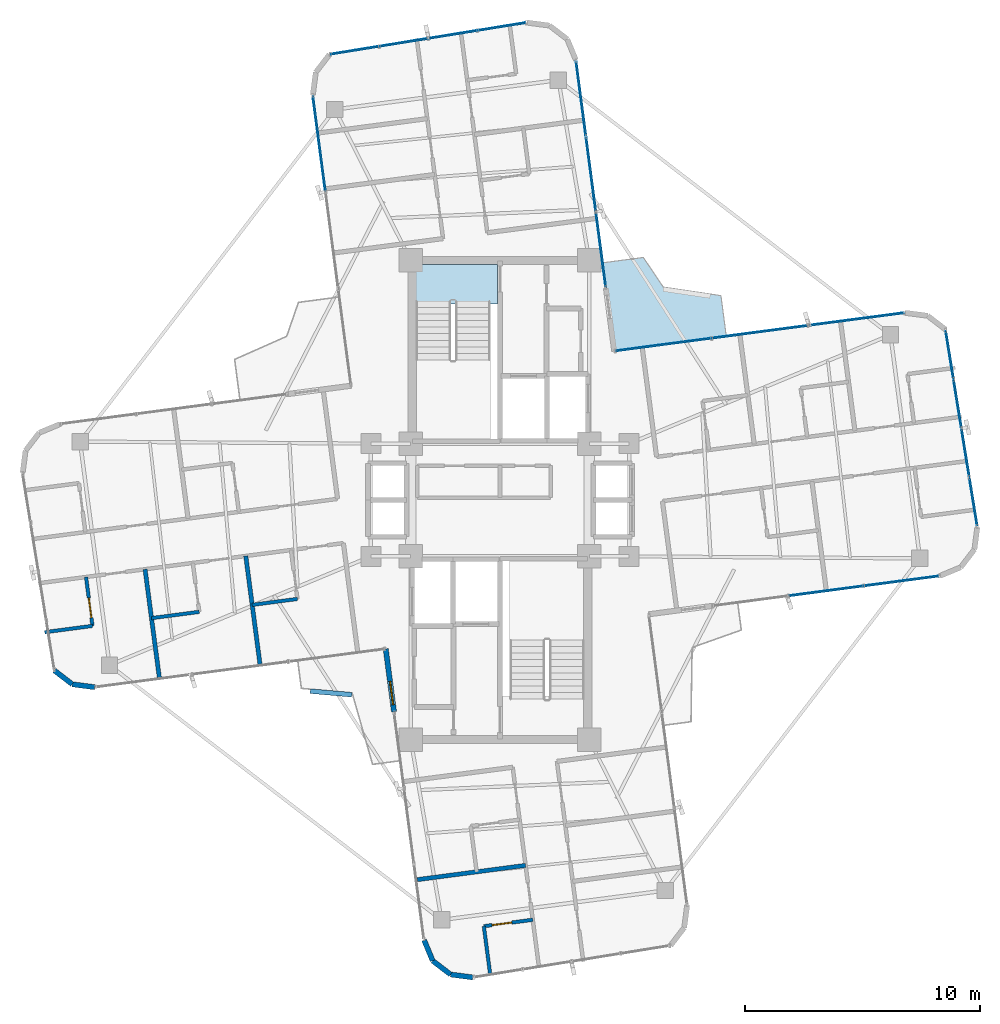
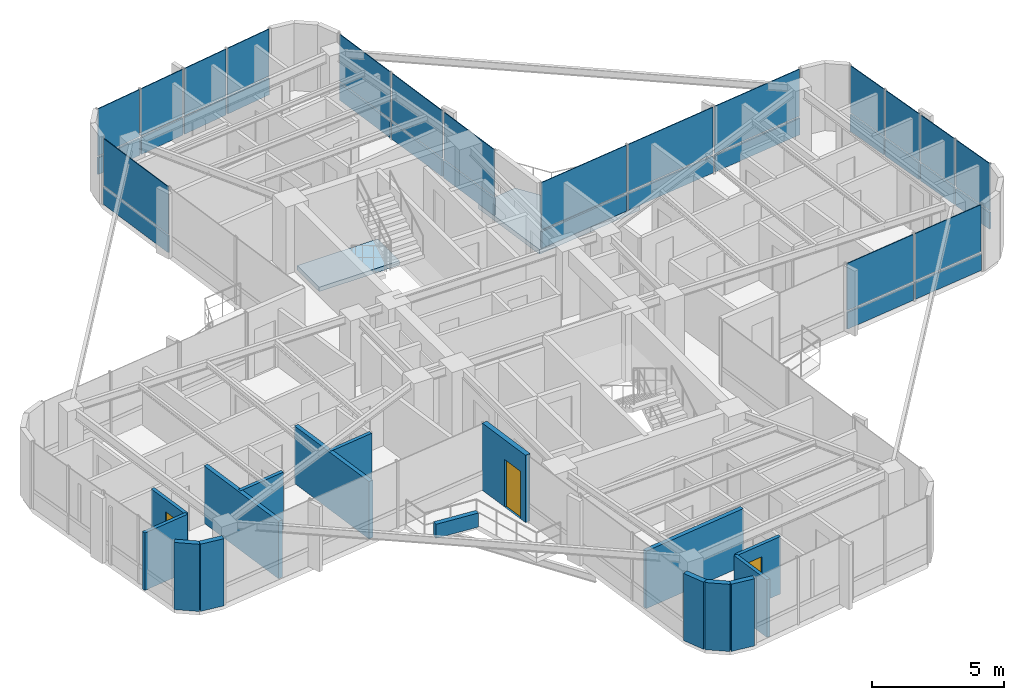
# One storey, part 17 of 22: 34 plates, 16 walls, 3 doors, 2 slabs, 3 openings, 6 elements without a shape of their own.
"""IFC4 building model written with IfcOpenShell, lengths in metres."""

import ifcopenshell
import ifcopenshell.guid

model = None  # the IFC model being written
_history = None  # IfcOwnerHistory: only IFC2X3 demands one
_inside = {}  # id of a spatial element -> (the spatial element, [elements in it])
_under = {}  # id of a project, library or spatial element -> (it, [spatial elements below it])
_declared = {}  # id of a project -> (the project, [libraries it declares])
_typed = {}  # id of a type object -> (the type object, [elements of that type])
_made_of = {}  # id of a material, layer set ... -> (it, [elements and type objects made of it])


def new_model(schema):
    """Start an empty IFC model of exactly this schema.

    Asked for "IFC4X3", IfcOpenShell would pick the latest addendum, in which some entities
    have other attributes; the version numbers below select the first issue.
    IFC2X3 requires an IfcOwnerHistory on every rooted entity: one is made here for all.
    """
    global model, _history
    if schema == "IFC4X3":
        model = ifcopenshell.file(schema_version=(4, 3, 0, 0))
    else:
        model = ifcopenshell.file(schema=schema)
    _inside.clear()
    _under.clear()
    _declared.clear()
    _typed.clear()
    _made_of.clear()
    _history = None
    if model.schema == "IFC2X3":
        org = make("IfcOrganization", Name="unknown")
        user = make(
            "IfcPersonAndOrganization",
            ThePerson=make("IfcPerson", FamilyName="unknown"),
            TheOrganization=org,
        )
        app = make(
            "IfcApplication",
            ApplicationDeveloper=org,
            Version="unknown",
            ApplicationFullName="unknown",
            ApplicationIdentifier="unknown",
        )
        _history = make(
            "IfcOwnerHistory",
            OwningUser=user,
            OwningApplication=app,
            ChangeAction="ADDED",
            CreationDate=0,
        )
    return model


def make(cls, **values):
    """One entity of the class cls with the attributes given. An attribute that is None is left unset."""
    return model.create_entity(
        cls, **{name: value for name, value in values.items() if value is not None}
    )


def rooted(cls, **values):
    """An entity with a GlobalId (a new one), such as an element, a storey or a relation."""
    return make(cls, GlobalId=ifcopenshell.guid.new(), OwnerHistory=_history, **values)


def si_unit(unit_type, name, prefix=None):
    """IfcSIUnit, for example si_unit("LENGTHUNIT", "METRE", prefix="MILLI")."""
    return make("IfcSIUnit", UnitType=unit_type, Prefix=prefix, Name=name)


def assignment(units):
    """IfcUnitAssignment: the units of a project."""
    return None if units is None else make("IfcUnitAssignment", Units=units)


def point(xyz):
    """IfcCartesianPoint."""
    return None if xyz is None else make("IfcCartesianPoint", Coordinates=xyz)


def direction(xyz):
    """IfcDirection."""
    return None if xyz is None else make("IfcDirection", DirectionRatios=xyz)


def frame(location, z_axis=None, x_axis=None):
    """IfcAxis2Placement3D, a coordinate frame: its origin and axes. An axis left out is left unset."""
    return make(
        "IfcAxis2Placement3D",
        Location=point(location),
        Axis=direction(z_axis),
        RefDirection=direction(x_axis),
    )


def frame_2d(location, x_axis=None):
    """IfcAxis2Placement2D, a coordinate frame in the plane: its origin and x axis."""
    return make(
        "IfcAxis2Placement2D", Location=point(location), RefDirection=direction(x_axis)
    )


def origin():
    """The frame at (0, 0, 0) with its axes left unset."""
    return frame((0.0, 0.0, 0.0))


def origin_2d():
    """The frame at (0, 0) in the plane with its x axis left unset."""
    return frame_2d((0.0, 0.0))


def place(relative_to, where):
    """IfcLocalPlacement: puts the frame where relative to a parent placement (None: the world)."""
    return make(
        "IfcLocalPlacement", PlacementRelTo=relative_to, RelativePlacement=where
    )


def context(
    kind, dimensions, precision=None, world=None, true_north=None, identifier=None
):
    """IfcGeometricRepresentationContext, for example the 3D "Model" context."""
    return make(
        "IfcGeometricRepresentationContext",
        ContextIdentifier=identifier,
        ContextType=kind,
        CoordinateSpaceDimension=dimensions,
        Precision=precision,
        WorldCoordinateSystem=world,
        TrueNorth=true_north,
    )


def subcontext(parent, identifier, kind, view, scale=None):
    """IfcGeometricRepresentationSubContext, for example "Body" below "Model"."""
    return make(
        "IfcGeometricRepresentationSubContext",
        ContextIdentifier=identifier,
        ContextType=kind,
        ParentContext=parent,
        TargetScale=scale,
        TargetView=view,
    )


def project(units=None, contexts=None):
    """IfcProject with its units and contexts."""
    return rooted(
        "IfcProject",
        Name="project",
        RepresentationContexts=contexts,
        UnitsInContext=assignment(units),
    )


def spatial(cls, under=None, at=None, **own):
    """A site, building, storey or space (cls), placed at a placement, below another one or the project."""
    s = rooted(cls, ObjectPlacement=at, **own)
    if under is not None:
        _under.setdefault(under.id(), (under, []))[1].append(s)
    return s


def polyline(points):
    """IfcPolyline through the points."""
    return make("IfcPolyline", Points=[point(p) for p in points])


def profile(cls, at=None, kind="AREA", **sizes):
    """A parametric profile (cls). Its sizes go by their IFC names, for example OverallWidth=200.0."""
    return make(cls, ProfileType=kind, Position=at, **sizes)


def rectangle(**sizes):
    """IfcRectangleProfileDef."""
    return profile("IfcRectangleProfileDef", **sizes)


def outline(outer, holes=None, kind="AREA"):
    """IfcArbitraryClosedProfileDef: a profile drawn as a closed curve; with holes, ...WithVoids."""
    if holes is None:
        return make("IfcArbitraryClosedProfileDef", ProfileType=kind, OuterCurve=outer)
    return make(
        "IfcArbitraryProfileDefWithVoids",
        ProfileType=kind,
        OuterCurve=outer,
        InnerCurves=holes,
    )


def extrude(swept, where, along, depth):
    """IfcExtrudedAreaSolid: the profile swept, set in the frame where, extruded along a direction by depth."""
    return make(
        "IfcExtrudedAreaSolid",
        SweptArea=swept,
        Position=where,
        ExtrudedDirection=direction(along),
        Depth=depth,
    )


def shape(context_of_items, identifier, shape_type, items):
    """IfcShapeRepresentation: the items that make up one representation, for example the "Body"."""
    return make(
        "IfcShapeRepresentation",
        ContextOfItems=context_of_items,
        RepresentationIdentifier=identifier,
        RepresentationType=shape_type,
        Items=items,
    )


def source(mapping_origin, context_of_items, identifier, shape_type, items):
    """IfcRepresentationMap: a shape defined once, which mapped items show again and again."""
    return make(
        "IfcRepresentationMap",
        MappingOrigin=mapping_origin,
        MappedRepresentation=shape(context_of_items, identifier, shape_type, items),
    )


def transform(
    local_origin,
    x_axis=None,
    y_axis=None,
    z_axis=None,
    scale=None,
    scale2=None,
    scale3=None,
    uniform=True,
):
    """IfcCartesianTransformationOperator3D, or its non-uniform kind. x_axis, y_axis, z_axis: its Axis1, 2, 3."""
    if uniform:
        return make(
            "IfcCartesianTransformationOperator3D",
            Axis1=direction(x_axis),
            Axis2=direction(y_axis),
            LocalOrigin=point(local_origin),
            Scale=scale,
            Axis3=direction(z_axis),
        )
    return make(
        "IfcCartesianTransformationOperator3DnonUniform",
        Axis1=direction(x_axis),
        Axis2=direction(y_axis),
        LocalOrigin=point(local_origin),
        Scale=scale,
        Axis3=direction(z_axis),
        Scale2=scale2,
        Scale3=scale3,
    )


def mapped(mapping_source, mapping_target):
    """IfcMappedItem: shows the shape of a source again, moved by a transform."""
    return make(
        "IfcMappedItem", MappingSource=mapping_source, MappingTarget=mapping_target
    )


def material(Name=None, Category=None):
    """IfcMaterial."""
    return make("IfcMaterial", Name=Name, Category=Category)


def layer(
    of_material, thickness, ventilated=None, Name=None, Category=None, Priority=None
):
    """IfcMaterialLayer: one layer of a wall or slab, of a material (None: an air gap)."""
    return make(
        "IfcMaterialLayer",
        Material=of_material,
        LayerThickness=thickness,
        IsVentilated=ventilated,
        Name=Name,
        Category=Category,
        Priority=Priority,
    )


def layer_set(layers, Name=None):
    """IfcMaterialLayerSet."""
    return make("IfcMaterialLayerSet", MaterialLayers=layers, LayerSetName=Name)


def made_of(thing, what):
    """Note that an element or type object is made of a material, layer set ...; save() writes the relation."""
    if what is not None:
        _made_of.setdefault(what.id(), (what, []))[1].append(thing)
    return thing


def type_object(cls, material=None, **own):
    """A type object (cls), such as IfcWallType, which elements share."""
    return made_of(rooted(cls, **own), material)


def element(
    cls,
    number,
    at=None,
    inside=None,
    cuts=None,
    type_object=None,
    material=None,
    context=None,
    identifier="Body",
    shape_type=None,
    held_by="IfcProductDefinitionShape",
    body=None,
    shapes=None,
    **own,
):
    """One element of the class cls, such as IfcWall. Its Tag is "e" and its number.

    at: its placement. inside: the storey or other place that contains it. cuts: it is an
    opening in that element (IfcRelVoidsElement). A single representation is given by context,
    identifier, shape_type and body (its items); several are given by shapes. held_by: the class
    of the entity that holds the representations. save() writes the other relations.
    """
    e = rooted(cls, Tag="e%d" % number, ObjectPlacement=at, **own)
    if body is not None:
        shapes = [shape(context, identifier, shape_type, body)]
    if shapes is not None:
        e.Representation = make(held_by, Representations=shapes)
    if inside is not None:
        _inside.setdefault(inside.id(), (inside, []))[1].append(e)
    if cuts is not None:
        rooted(
            "IfcRelVoidsElement", RelatingBuildingElement=cuts, RelatedOpeningElement=e
        )
    if type_object is not None:
        _typed.setdefault(type_object.id(), (type_object, []))[1].append(e)
    return made_of(e, material)


def fill(opening, filler):
    """IfcRelFillsElement: the door or window that sits in an opening."""
    return rooted(
        "IfcRelFillsElement",
        RelatingOpeningElement=opening,
        RelatedBuildingElement=filler,
    )


def aggregate(whole, parts):
    """IfcRelAggregates: a whole, such as a stair, and the parts it consists of."""
    return rooted("IfcRelAggregates", RelatingObject=whole, RelatedObjects=parts)


def save(model, path):
    """Write the relations noted so far, then the file.

    IfcRelAggregates (storeys below a building ...), IfcRelContainedInSpatialStructure (elements
    in a storey), IfcRelDefinesByType, IfcRelAssociatesMaterial and IfcRelDeclares: one each for
    every whole, place, type object, material and project.
    """
    for whole, parts in _under.values():
        aggregate(whole, parts)
    for where, things in _inside.values():
        rooted(
            "IfcRelContainedInSpatialStructure",
            RelatedElements=things,
            RelatingStructure=where,
        )
    for kind, things in _typed.values():
        rooted("IfcRelDefinesByType", RelatedObjects=things, RelatingType=kind)
    for what, things in _made_of.values():
        rooted("IfcRelAssociatesMaterial", RelatedObjects=things, RelatingMaterial=what)
    for by, libraries in _declared.values():
        rooted("IfcRelDeclares", RelatingContext=by, RelatedDefinitions=libraries)
    model.write(path)


model = new_model("IFC4")

# Units and contexts
model_context = context("Model", 3, precision=1e-05, world=origin(), true_north=direction((0.0, 1.0)))
body_context = subcontext(model_context, "Body", "Model", "MODEL_VIEW")
ifc_project = project(units=[si_unit("LENGTHUNIT", "METRE"), si_unit("AREAUNIT", "SQUARE_METRE"), si_unit("VOLUMEUNIT", "CUBIC_METRE"), si_unit("PLANEANGLEUNIT", "RADIAN"), si_unit("MASSUNIT", "GRAM", prefix="KILO")], contexts=[model_context])

# Site, building, storey
site_placement = place(None, origin())
site = spatial("IfcSite", under=ifc_project, at=site_placement, CompositionType="ELEMENT")
building_placement = place(site_placement, origin())
building = spatial("IfcBuilding", under=site, at=building_placement, Name="Sahyath Konkavel Grand Hotel", CompositionType="ELEMENT")
storey_placement = place(building_placement, frame((0.0, 0.0, 206.5)))
storey = spatial("IfcBuildingStorey", under=building, at=storey_placement, Name="L57", CompositionType="ELEMENT", Elevation=206.5)

# Slabs
ifc_material_1 = material(Name="Concrete C40/50", Category="concrete")
ifc_layer_1 = layer(ifc_material_1, 0.219970703125)
ifc_layer_set_1 = layer_set([ifc_layer_1], Name="Concrete C40/50")
slab_type_1 = type_object("IfcSlabType", Name="SLB-BALCONY-220", PredefinedType="FLOOR", material=ifc_layer_set_1)
slab_1_placement = place(storey_placement, frame((0.0, 0.0, -0.219970703125)))
element("IfcSlab", 1, at=slab_1_placement, inside=storey, type_object=slab_type_1, Name="L57 Winter-Garden Balcony NE", PredefinedType="FLOOR", context=body_context, shape_type="SweptSolid", body=[
    extrude(outline(polyline([(4.8642578125, 6.339111328125), (9.633056640625, 6.967041015625), (9.405029296875, 8.699462890625), (6.95361328125, 9.062255859375), (6.10205078125, 10.32470703125), (4.369384765625, 10.0966796875), (4.8642578125, 6.339111328125)])), origin(), (0.0, 0.0, 1.0), 0.219970703125),
])
ifc_layer_2 = layer(ifc_material_1, 0.199951171875)
ifc_layer_set_2 = layer_set([ifc_layer_2], Name="Concrete C40/50")
slab_type_2 = type_object("IfcSlabType", Name="SLB-STAIR-LND", PredefinedType="LANDING", material=ifc_layer_set_2)
slab_2_placement = place(storey_placement, frame((0.0, 0.0, -0.199951171875)))
element("IfcSlab", 2, at=slab_2_placement, inside=storey, type_object=slab_type_2, Name="L57 Stair ST-1 Floor Landing Slab", PredefinedType="LANDING", context=body_context, shape_type="SweptSolid", body=[
    extrude(outline(polyline([(-3.6201171875, 8.35009765625), (-0.10009765625, 8.35009765625), (-0.10009765625, 10.02001953125), (-3.6201171875, 10.02001953125), (-3.6201171875, 8.35009765625)])), origin(), (0.0, 0.0, 1.0), 0.199951171875),
])

# Curtain wall, plates
ifc_material_2 = material(Name="Anodised Bronze Aluminium & Low-E Glazing", Category="aluminium")
curtain_wall_type = type_object("IfcCurtainWallType", Name="CW-ZONE4", PredefinedType="NOTDEFINED", material=ifc_material_2)
curtain_wall_1_placement = place(storey_placement, origin())
curtain_wall_1 = element("IfcCurtainWall", 3, at=curtain_wall_1_placement, inside=storey, type_object=curtain_wall_type, Name="L57 Unitised Curtain Wall F0", PredefinedType="NOTDEFINED")
ifc_material_3 = material(Name="Warm Buff Sandstone Cladding", Category="masonry")
ifc_layer_3 = layer(ifc_material_3, 0.074951171875)
ifc_layer_set_3 = layer_set([ifc_layer_3], Name="Warm Buff Sandstone Cladding")
plate_type_1 = type_object("IfcPlateType", Name="PNL-SPANDREL-STONE", PredefinedType="SHEET", material=ifc_layer_set_3)
shared_shape_1 = source(origin(), body_context, "Body", "SweptSolid", [
    extrude(rectangle(XDim=3.159912109375, YDim=0.074951171875, at=origin_2d()), origin(), (0.0, 0.0, 1.0), 0.77001953125),
])
plate_1_placement = place(storey_placement, frame((13.8740234375, -3.872314453125, 0.0400390625), z_axis=(0.0, 0.0, 1.0), x_axis=(0.991444861374, 0.13052619222, 0.0)))
plate_1 = element("IfcPlate", 4, at=plate_1_placement, type_object=plate_type_1, Name="L57 Sandstone Relief Spandrel Panel F0-1", PredefinedType="SHEET", context=body_context, shape_type="MappedRepresentation", body=[
    mapped(shared_shape_1, transform((0.0, 0.0, 0.0), scale=1.0)),
])
plate_2_placement = place(storey_placement, frame((17.086181640625, -3.44921875, 0.0400390625), z_axis=(0.0, 0.0, 1.0), x_axis=(0.991444861374, 0.13052619222, 0.0)))
plate_2 = element("IfcPlate", 5, at=plate_2_placement, type_object=plate_type_1, Name="L57 Sandstone Relief Spandrel Panel F0-2", PredefinedType="SHEET", context=body_context, shape_type="MappedRepresentation", body=[
    mapped(shared_shape_1, transform((0.0, 0.0, 0.0), scale=1.0)),
])

curtain_wall_2_placement = place(storey_placement, origin())
curtain_wall_2 = element("IfcCurtainWall", 6, at=curtain_wall_2_placement, inside=storey, type_object=curtain_wall_type, Name="L57 Unitised Curtain Wall F8", PredefinedType="NOTDEFINED")
plate_3_placement = place(storey_placement, frame((4.295166015625, 10.661865234375, 0.0400390625), z_axis=(0.0, 0.0, 1.0), x_axis=(-0.13052619222, 0.991444861374, 0.0)))
plate_3 = element("IfcPlate", 7, at=plate_3_placement, type_object=plate_type_1, Name="L57 Sandstone Relief Spandrel Panel F8-0", PredefinedType="SHEET", context=body_context, shape_type="MappedRepresentation", body=[
    mapped(shared_shape_1, transform((0.0, 0.0, 0.0), scale=1.0)),
])
plate_4_placement = place(storey_placement, frame((3.872314453125, 13.8740234375, 0.0400390625), z_axis=(0.0, 0.0, 1.0), x_axis=(-0.13052619222, 0.991444861374, 0.0)))
plate_4 = element("IfcPlate", 8, at=plate_4_placement, type_object=plate_type_1, Name="L57 Sandstone Relief Spandrel Panel F8-1", PredefinedType="SHEET", context=body_context, shape_type="MappedRepresentation", body=[
    mapped(shared_shape_1, transform((0.0, 0.0, 0.0), scale=1.0)),
])
plate_5_placement = place(storey_placement, frame((3.44921875, 17.086181640625, 0.0400390625), z_axis=(0.0, 0.0, 1.0), x_axis=(-0.13052619222, 0.991444861374, 0.0)))
plate_5 = element("IfcPlate", 9, at=plate_5_placement, type_object=plate_type_1, Name="L57 Sandstone Relief Spandrel Panel F8-2", PredefinedType="SHEET", context=body_context, shape_type="MappedRepresentation", body=[
    mapped(shared_shape_1, transform((0.0, 0.0, 0.0), scale=1.0)),
])

# Plate
ifc_material_4 = material(Name="Low-E Solar Control Double Glazing", Category="glass")
ifc_layer_4 = layer(ifc_material_4, 0.035888671875)
ifc_layer_set_4 = layer_set([ifc_layer_4], Name="Low-E Solar Control Double Glazing")
plate_type_2 = type_object("IfcPlateType", Name="PNL-VISION-LOWE", PredefinedType="CURTAIN_PANEL", material=ifc_layer_set_4)
shared_shape_2 = source(origin(), body_context, "Body", "SweptSolid", [
    extrude(rectangle(XDim=3.159912109375, YDim=0.035888671875, at=origin_2d()), origin(), (0.0, 0.0, 1.0), 2.179931640625),
])
plate_6_placement = place(storey_placement, frame((13.8740234375, -3.872314453125, 0.89013671875), z_axis=(0.0, 0.0, 1.0), x_axis=(0.991444861374, 0.13052619222, 0.0)))
plate_6 = element("IfcPlate", 10, at=plate_6_placement, type_object=plate_type_2, Name="L57 Low-E Vision Glazing Panel F0-1", PredefinedType="CURTAIN_PANEL", context=body_context, shape_type="MappedRepresentation", body=[
    mapped(shared_shape_2, transform((0.0, 0.0, 0.0), scale=1.0)),
])

plate_7_placement = place(storey_placement, frame((17.086181640625, -3.44921875, 0.89013671875), z_axis=(0.0, 0.0, 1.0), x_axis=(0.991444861374, 0.13052619222, 0.0)))
plate_7 = element("IfcPlate", 11, at=plate_7_placement, type_object=plate_type_2, Name="L57 Low-E Vision Glazing Panel F0-2", PredefinedType="CURTAIN_PANEL", context=body_context, shape_type="MappedRepresentation", body=[
    mapped(shared_shape_2, transform((0.0, 0.0, 0.0), scale=1.0)),
])

aggregate(curtain_wall_1, [plate_1, plate_6, plate_2, plate_7])

plate_8_placement = place(storey_placement, frame((4.295166015625, 10.661865234375, 0.89013671875), z_axis=(0.0, 0.0, 1.0), x_axis=(-0.13052619222, 0.991444861374, 0.0)))
plate_8 = element("IfcPlate", 12, at=plate_8_placement, type_object=plate_type_2, Name="L57 Low-E Vision Glazing Panel F8-0", PredefinedType="CURTAIN_PANEL", context=body_context, shape_type="MappedRepresentation", body=[
    mapped(shared_shape_2, transform((0.0, 0.0, 0.0), scale=1.0)),
])

plate_9_placement = place(storey_placement, frame((3.872314453125, 13.8740234375, 0.89013671875), z_axis=(0.0, 0.0, 1.0), x_axis=(-0.13052619222, 0.991444861374, 0.0)))
plate_9 = element("IfcPlate", 13, at=plate_9_placement, type_object=plate_type_2, Name="L57 Low-E Vision Glazing Panel F8-1", PredefinedType="CURTAIN_PANEL", context=body_context, shape_type="MappedRepresentation", body=[
    mapped(shared_shape_2, transform((0.0, 0.0, 0.0), scale=1.0)),
])

plate_10_placement = place(storey_placement, frame((3.44921875, 17.086181640625, 0.89013671875), z_axis=(0.0, 0.0, 1.0), x_axis=(-0.13052619222, 0.991444861374, 0.0)))
plate_10 = element("IfcPlate", 14, at=plate_10_placement, type_object=plate_type_2, Name="L57 Low-E Vision Glazing Panel F8-2", PredefinedType="CURTAIN_PANEL", context=body_context, shape_type="MappedRepresentation", body=[
    mapped(shared_shape_2, transform((0.0, 0.0, 0.0), scale=1.0)),
])

aggregate(curtain_wall_2, [plate_3, plate_8, plate_4, plate_9, plate_5, plate_10])

# Curtain wall, plates
curtain_wall_3_placement = place(storey_placement, origin())
curtain_wall_3 = element("IfcCurtainWall", 15, at=curtain_wall_3_placement, inside=storey, type_object=curtain_wall_type, Name="L57 Unitised Curtain Wall F4", PredefinedType="NOTDEFINED")
shared_shape_3 = source(origin(), body_context, "Body", "SweptSolid", [
    extrude(rectangle(XDim=2.031982421875, YDim=0.074951171875, at=origin_2d()), origin(), (0.0, 0.0, 1.0), 0.77001953125),
])
plate_11_placement = place(storey_placement, frame((20.150390625, -0.074951171875, 0.0400390625), z_axis=(0.0, 0.0, 1.0), x_axis=(-0.159295381124, 0.98723096667, 0.0)))
plate_11 = element("IfcPlate", 16, at=plate_11_placement, type_object=plate_type_1, Name="L57 Sandstone Relief Spandrel Panel F4-0", PredefinedType="SHEET", context=body_context, shape_type="MappedRepresentation", body=[
    mapped(shared_shape_3, transform((0.0, 0.0, 0.0), scale=1.0)),
])
plate_12_placement = place(storey_placement, frame((19.81396484375, 2.01025390625, 0.0400390625), z_axis=(0.0, 0.0, 1.0), x_axis=(-0.159295381124, 0.98723096667, 0.0)))
plate_12 = element("IfcPlate", 17, at=plate_12_placement, type_object=plate_type_1, Name="L57 Sandstone Relief Spandrel Panel F4-1", PredefinedType="SHEET", context=body_context, shape_type="MappedRepresentation", body=[
    mapped(shared_shape_3, transform((0.0, 0.0, 0.0), scale=1.0)),
])
plate_13_placement = place(storey_placement, frame((19.477294921875, 4.095458984375, 0.0400390625), z_axis=(0.0, 0.0, 1.0), x_axis=(-0.159295381124, 0.98723096667, 0.0)))
plate_13 = element("IfcPlate", 18, at=plate_13_placement, type_object=plate_type_1, Name="L57 Sandstone Relief Spandrel Panel F4-2", PredefinedType="SHEET", context=body_context, shape_type="MappedRepresentation", body=[
    mapped(shared_shape_3, transform((0.0, 0.0, 0.0), scale=1.0)),
])
plate_14_placement = place(storey_placement, frame((19.14111328125, 6.1806640625, 0.0400390625), z_axis=(0.0, 0.0, 1.0), x_axis=(-0.159295381124, 0.98723096667, 0.0)))
plate_14 = element("IfcPlate", 19, at=plate_14_placement, type_object=plate_type_1, Name="L57 Sandstone Relief Spandrel Panel F4-3", PredefinedType="SHEET", context=body_context, shape_type="MappedRepresentation", body=[
    mapped(shared_shape_3, transform((0.0, 0.0, 0.0), scale=1.0)),
])

curtain_wall_4_placement = place(storey_placement, origin())
curtain_wall_4 = element("IfcCurtainWall", 20, at=curtain_wall_4_placement, inside=storey, type_object=curtain_wall_type, Name="L57 Unitised Curtain Wall F12", PredefinedType="NOTDEFINED")
plate_15_placement = place(storey_placement, frame((0.074951171875, 20.150390625, 0.0400390625), z_axis=(0.0, 0.0, 1.0), x_axis=(-0.98723096667, -0.159295381124, 0.0)))
plate_15 = element("IfcPlate", 21, at=plate_15_placement, type_object=plate_type_1, Name="L57 Sandstone Relief Spandrel Panel F12-0", PredefinedType="SHEET", context=body_context, shape_type="MappedRepresentation", body=[
    mapped(shared_shape_3, transform((0.0, 0.0, 0.0), scale=1.0)),
])
plate_16_placement = place(storey_placement, frame((-2.01025390625, 19.81396484375, 0.0400390625), z_axis=(0.0, 0.0, 1.0), x_axis=(-0.98723096667, -0.159295381124, 0.0)))
plate_16 = element("IfcPlate", 22, at=plate_16_placement, type_object=plate_type_1, Name="L57 Sandstone Relief Spandrel Panel F12-1", PredefinedType="SHEET", context=body_context, shape_type="MappedRepresentation", body=[
    mapped(shared_shape_3, transform((0.0, 0.0, 0.0), scale=1.0)),
])
plate_17_placement = place(storey_placement, frame((-4.095458984375, 19.477294921875, 0.0400390625), z_axis=(0.0, 0.0, 1.0), x_axis=(-0.98723096667, -0.159295381124, 0.0)))
plate_17 = element("IfcPlate", 23, at=plate_17_placement, type_object=plate_type_1, Name="L57 Sandstone Relief Spandrel Panel F12-2", PredefinedType="SHEET", context=body_context, shape_type="MappedRepresentation", body=[
    mapped(shared_shape_3, transform((0.0, 0.0, 0.0), scale=1.0)),
])
plate_18_placement = place(storey_placement, frame((-6.1806640625, 19.14111328125, 0.0400390625), z_axis=(0.0, 0.0, 1.0), x_axis=(-0.98723096667, -0.159295381124, 0.0)))
plate_18 = element("IfcPlate", 24, at=plate_18_placement, type_object=plate_type_1, Name="L57 Sandstone Relief Spandrel Panel F12-3", PredefinedType="SHEET", context=body_context, shape_type="MappedRepresentation", body=[
    mapped(shared_shape_3, transform((0.0, 0.0, 0.0), scale=1.0)),
])

# Plate
shared_shape_4 = source(origin(), body_context, "Body", "SweptSolid", [
    extrude(rectangle(XDim=2.031982421875, YDim=0.035888671875, at=origin_2d()), origin(), (0.0, 0.0, 1.0), 2.179931640625),
])
plate_19_placement = place(storey_placement, frame((20.150390625, -0.074951171875, 0.89013671875), z_axis=(0.0, 0.0, 1.0), x_axis=(-0.159295381124, 0.98723096667, 0.0)))
plate_19 = element("IfcPlate", 25, at=plate_19_placement, type_object=plate_type_2, Name="L57 Low-E Vision Glazing Panel F4-0", PredefinedType="CURTAIN_PANEL", context=body_context, shape_type="MappedRepresentation", body=[
    mapped(shared_shape_4, transform((0.0, 0.0, 0.0), scale=1.0)),
])

plate_20_placement = place(storey_placement, frame((19.81396484375, 2.01025390625, 0.89013671875), z_axis=(0.0, 0.0, 1.0), x_axis=(-0.159295381124, 0.98723096667, 0.0)))
plate_20 = element("IfcPlate", 26, at=plate_20_placement, type_object=plate_type_2, Name="L57 Low-E Vision Glazing Panel F4-1", PredefinedType="CURTAIN_PANEL", context=body_context, shape_type="MappedRepresentation", body=[
    mapped(shared_shape_4, transform((0.0, 0.0, 0.0), scale=1.0)),
])

plate_21_placement = place(storey_placement, frame((19.477294921875, 4.095458984375, 0.89013671875), z_axis=(0.0, 0.0, 1.0), x_axis=(-0.159295381124, 0.98723096667, 0.0)))
plate_21 = element("IfcPlate", 27, at=plate_21_placement, type_object=plate_type_2, Name="L57 Low-E Vision Glazing Panel F4-2", PredefinedType="CURTAIN_PANEL", context=body_context, shape_type="MappedRepresentation", body=[
    mapped(shared_shape_4, transform((0.0, 0.0, 0.0), scale=1.0)),
])

plate_22_placement = place(storey_placement, frame((19.14111328125, 6.1806640625, 0.89013671875), z_axis=(0.0, 0.0, 1.0), x_axis=(-0.159295381124, 0.98723096667, 0.0)))
plate_22 = element("IfcPlate", 28, at=plate_22_placement, type_object=plate_type_2, Name="L57 Low-E Vision Glazing Panel F4-3", PredefinedType="CURTAIN_PANEL", context=body_context, shape_type="MappedRepresentation", body=[
    mapped(shared_shape_4, transform((0.0, 0.0, 0.0), scale=1.0)),
])

aggregate(curtain_wall_3, [plate_11, plate_19, plate_12, plate_20, plate_13, plate_21, plate_14, plate_22])

plate_23_placement = place(storey_placement, frame((0.074951171875, 20.150390625, 0.89013671875), z_axis=(0.0, 0.0, 1.0), x_axis=(-0.98723096667, -0.159295381124, 0.0)))
plate_23 = element("IfcPlate", 29, at=plate_23_placement, type_object=plate_type_2, Name="L57 Low-E Vision Glazing Panel F12-0", PredefinedType="CURTAIN_PANEL", context=body_context, shape_type="MappedRepresentation", body=[
    mapped(shared_shape_4, transform((0.0, 0.0, 0.0), scale=1.0)),
])

plate_24_placement = place(storey_placement, frame((-2.01025390625, 19.81396484375, 0.89013671875), z_axis=(0.0, 0.0, 1.0), x_axis=(-0.98723096667, -0.159295381124, 0.0)))
plate_24 = element("IfcPlate", 30, at=plate_24_placement, type_object=plate_type_2, Name="L57 Low-E Vision Glazing Panel F12-1", PredefinedType="CURTAIN_PANEL", context=body_context, shape_type="MappedRepresentation", body=[
    mapped(shared_shape_4, transform((0.0, 0.0, 0.0), scale=1.0)),
])

plate_25_placement = place(storey_placement, frame((-4.095458984375, 19.477294921875, 0.89013671875), z_axis=(0.0, 0.0, 1.0), x_axis=(-0.98723096667, -0.159295381124, 0.0)))
plate_25 = element("IfcPlate", 31, at=plate_25_placement, type_object=plate_type_2, Name="L57 Low-E Vision Glazing Panel F12-2", PredefinedType="CURTAIN_PANEL", context=body_context, shape_type="MappedRepresentation", body=[
    mapped(shared_shape_4, transform((0.0, 0.0, 0.0), scale=1.0)),
])

plate_26_placement = place(storey_placement, frame((-6.1806640625, 19.14111328125, 0.89013671875), z_axis=(0.0, 0.0, 1.0), x_axis=(-0.98723096667, -0.159295381124, 0.0)))
plate_26 = element("IfcPlate", 32, at=plate_26_placement, type_object=plate_type_2, Name="L57 Low-E Vision Glazing Panel F12-3", PredefinedType="CURTAIN_PANEL", context=body_context, shape_type="MappedRepresentation", body=[
    mapped(shared_shape_4, transform((0.0, 0.0, 0.0), scale=1.0)),
])

aggregate(curtain_wall_4, [plate_15, plate_23, plate_16, plate_24, plate_17, plate_25, plate_18, plate_26])

# Curtain wall, plates
curtain_wall_5_placement = place(storey_placement, origin())
curtain_wall_5 = element("IfcCurtainWall", 33, at=curtain_wall_5_placement, inside=storey, type_object=curtain_wall_type, Name="L57 Unitised Curtain Wall F7", PredefinedType="NOTDEFINED")
shared_shape_5 = source(origin(), body_context, "Body", "SweptSolid", [
    extrude(rectangle(XDim=4.06005859375, YDim=0.074951171875, at=origin_2d()), origin(), (0.0, 0.0, 1.0), 0.77001953125),
])
plate_27_placement = place(storey_placement, frame((15.165283203125, 7.6953125, 0.0400390625), z_axis=(0.0, 0.0, 1.0), x_axis=(-0.991444861374, -0.13052619222, 0.0)))
plate_27 = element("IfcPlate", 34, at=plate_27_placement, type_object=plate_type_1, Name="L57 Sandstone Relief Spandrel Panel F7-0", PredefinedType="SHEET", context=body_context, shape_type="MappedRepresentation", body=[
    mapped(shared_shape_5, transform((0.0, 0.0, 0.0), scale=1.0)),
])
plate_28_placement = place(storey_placement, frame((11.060791015625, 7.15478515625, 0.0400390625), z_axis=(0.0, 0.0, 1.0), x_axis=(-0.991444861374, -0.13052619222, 0.0)))
plate_28 = element("IfcPlate", 35, at=plate_28_placement, type_object=plate_type_1, Name="L57 Sandstone Relief Spandrel Panel F7-1", PredefinedType="SHEET", context=body_context, shape_type="MappedRepresentation", body=[
    mapped(shared_shape_5, transform((0.0, 0.0, 0.0), scale=1.0)),
])
plate_29_placement = place(storey_placement, frame((6.956298828125, 6.614501953125, 0.0400390625), z_axis=(0.0, 0.0, 1.0), x_axis=(-0.991444861374, -0.13052619222, 0.0)))
plate_29 = element("IfcPlate", 36, at=plate_29_placement, type_object=plate_type_1, Name="L57 Sandstone Relief Spandrel Panel F7-2", PredefinedType="SHEET", context=body_context, shape_type="MappedRepresentation", body=[
    mapped(shared_shape_5, transform((0.0, 0.0, 0.0), scale=1.0)),
])

# Curtain wall, plate
curtain_wall_6_placement = place(storey_placement, origin())
curtain_wall_6 = element("IfcCurtainWall", 37, at=curtain_wall_6_placement, inside=storey, type_object=curtain_wall_type, Name="L57 Unitised Curtain Wall F15", PredefinedType="NOTDEFINED")
plate_30_placement = place(storey_placement, frame((-7.6953125, 15.165283203125, 0.0400390625), z_axis=(0.0, 0.0, 1.0), x_axis=(0.13052619222, -0.991444861374, 0.0)))
plate_30 = element("IfcPlate", 38, at=plate_30_placement, type_object=plate_type_1, Name="L57 Sandstone Relief Spandrel Panel F15-0", PredefinedType="SHEET", context=body_context, shape_type="MappedRepresentation", body=[
    mapped(shared_shape_5, transform((0.0, 0.0, 0.0), scale=1.0)),
])

# Plate
shared_shape_6 = source(origin(), body_context, "Body", "SweptSolid", [
    extrude(rectangle(XDim=4.06005859375, YDim=0.035888671875, at=origin_2d()), origin(), (0.0, 0.0, 1.0), 2.179931640625),
])
plate_31_placement = place(storey_placement, frame((15.165283203125, 7.6953125, 0.89013671875), z_axis=(0.0, 0.0, 1.0), x_axis=(-0.991444861374, -0.13052619222, 0.0)))
plate_31 = element("IfcPlate", 39, at=plate_31_placement, type_object=plate_type_2, Name="L57 Low-E Vision Glazing Panel F7-0", PredefinedType="CURTAIN_PANEL", context=body_context, shape_type="MappedRepresentation", body=[
    mapped(shared_shape_6, transform((0.0, 0.0, 0.0), scale=1.0)),
])

plate_32_placement = place(storey_placement, frame((11.060791015625, 7.15478515625, 0.89013671875), z_axis=(0.0, 0.0, 1.0), x_axis=(-0.991444861374, -0.13052619222, 0.0)))
plate_32 = element("IfcPlate", 40, at=plate_32_placement, type_object=plate_type_2, Name="L57 Low-E Vision Glazing Panel F7-1", PredefinedType="CURTAIN_PANEL", context=body_context, shape_type="MappedRepresentation", body=[
    mapped(shared_shape_6, transform((0.0, 0.0, 0.0), scale=1.0)),
])

plate_33_placement = place(storey_placement, frame((6.956298828125, 6.614501953125, 0.89013671875), z_axis=(0.0, 0.0, 1.0), x_axis=(-0.991444861374, -0.13052619222, 0.0)))
plate_33 = element("IfcPlate", 41, at=plate_33_placement, type_object=plate_type_2, Name="L57 Low-E Vision Glazing Panel F7-2", PredefinedType="CURTAIN_PANEL", context=body_context, shape_type="MappedRepresentation", body=[
    mapped(shared_shape_6, transform((0.0, 0.0, 0.0), scale=1.0)),
])

aggregate(curtain_wall_5, [plate_27, plate_31, plate_28, plate_32, plate_29, plate_33])

plate_34_placement = place(storey_placement, frame((-7.6953125, 15.165283203125, 0.89013671875), z_axis=(0.0, 0.0, 1.0), x_axis=(0.13052619222, -0.991444861374, 0.0)))
plate_34 = element("IfcPlate", 42, at=plate_34_placement, type_object=plate_type_2, Name="L57 Low-E Vision Glazing Panel F15-0", PredefinedType="CURTAIN_PANEL", context=body_context, shape_type="MappedRepresentation", body=[
    mapped(shared_shape_6, transform((0.0, 0.0, 0.0), scale=1.0)),
])

aggregate(curtain_wall_6, [plate_30, plate_34])

# Walls
ifc_material_5 = material(Name="Warm Buff Sandstone Insulated Concrete C40/50", Category="masonry")
ifc_layer_5 = layer(ifc_material_5, 0.219970703125)
ifc_layer_set_5 = layer_set([ifc_layer_5], Name="Warm Buff Sandstone Insulated Concrete C40/50")
wall_type_1 = type_object("IfcWallType", Name="WLL-BALC-THRESH", PredefinedType="STANDARD", material=ifc_layer_set_5)
wall_1_placement = place(storey_placement, frame((-18.96630859375, -7.2626953125, 0.0), z_axis=(0.0, 0.0, 1.0), x_axis=(0.793249178392, -0.608897151398, 0.0)))
element("IfcWall", 43, at=wall_1_placement, inside=storey, type_object=wall_type_1, Name="L57 Rounded Corner Sandstone Pier 21", PredefinedType="STANDARD", context=body_context, shape_type="SweptSolid", body=[
    extrude(rectangle(XDim=0.95751953125, YDim=0.219970703125, at=frame_2d((0.478759765625, 0.0))), origin(), (0.0, 0.0, 1.0), 3.110107421875),
])
wall_2_placement = place(storey_placement, frame((-18.206787109375, -7.845703125, 0.0), z_axis=(0.0, 0.0, 1.0), x_axis=(0.991444747987, -0.130527053476, 0.0)))
element("IfcWall", 44, at=wall_2_placement, inside=storey, type_object=wall_type_1, Name="L57 Rounded Corner Sandstone Pier 22", PredefinedType="STANDARD", context=body_context, shape_type="SweptSolid", body=[
    extrude(rectangle(XDim=0.957763671875, YDim=0.219970703125, at=frame_2d((0.47900390625, 0.0))), origin(), (0.0, 0.0, 1.0), 3.110107421875),
])

# Wall, opening, door
wall_3_placement = place(storey_placement, frame((-4.8642578125, -6.339111328125, 0.0), z_axis=(0.0, 0.0, 1.0), x_axis=(0.130564442062, -0.991439824936, 0.0)))
wall_3 = element("IfcWall", 45, at=wall_3_placement, inside=storey, type_object=wall_type_1, Name="L57 Winter-Garden Threshold Wall 24", PredefinedType="STANDARD", context=body_context, shape_type="SweptSolid", body=[
    extrude(rectangle(XDim=2.7001953125, YDim=0.219970703125, at=frame_2d((1.35009765625, 0.0))), origin(), (0.0, 0.0, 1.0), 3.110107421875),
])
opening_1_placement = place(wall_3_placement, frame((1.39990234375, 0.0, 0.0)))
opening_1 = element("IfcOpeningElement", 46, at=opening_1_placement, cuts=wall_3, Name="Opening D-TR1", PredefinedType="OPENING", context=body_context, shape_type="SweptSolid", body=[
    extrude(rectangle(XDim=1.0, YDim=2.199951171875, at=frame_2d((0.5, 1.10009765625))), frame((0.0, 0.1201171875, 0.0), z_axis=(0.0, -1.0, 0.0), x_axis=(1.0, 0.0, 0.0)), (0.0, 0.0, 1.0), 0.239990234375),
])
door_type_1 = type_object("IfcDoorType", Name="DR-TERRACE-1000", OperationType="NOTDEFINED", PredefinedType="DOOR", material=ifc_material_2)
shared_shape_7 = source(origin(), body_context, "Body", "SweptSolid", [
    extrude(rectangle(XDim=1.0, YDim=0.050048828125, at=origin_2d()), origin(), (0.0, 0.0, 1.0), 2.199951171875),
])
door_1_placement = place(opening_1_placement, frame((0.5, 0.0, 0.0)))
door_1 = element("IfcDoor", 47, at=door_1_placement, inside=storey, type_object=door_type_1, Name="L57 Winter-Garden Terrace Door 24", OperationType="SINGLE_SWING_LEFT", OverallHeight=2.199951171875, OverallWidth=1.0, PredefinedType="DOOR", context=body_context, shape_type="MappedRepresentation", body=[
    mapped(shared_shape_7, transform((0.0, 0.0, 0.0), scale=1.0)),
])
fill(opening_1, door_1)

# Walls
for number, where, z_axis, x_axis, name in (
    (48, (-3.232666015625, -18.732177734375, 0.0), (0.0, 0.0, 1.0), (0.382659506909, -0.923889442397, 0.0), "L57 Rounded Corner Sandstone Pier 25"),
    (49, (-2.8662109375, -19.616943359375, 0.0), (0.0, 0.0, 1.0), (0.793343685778, -0.608774010809, 0.0), "L57 Rounded Corner Sandstone Pier 26"),
    (50, (-2.1064453125, -20.199951171875, 0.0), (0.0, 0.0, 1.0), (0.991444747987, -0.130527053476, 0.0), "L57 Rounded Corner Sandstone Pier 27"),
):
    element("IfcWall", number, at=place(storey_placement, frame(where, z_axis=z_axis, x_axis=x_axis)), inside=storey, type_object=wall_type_1, Name=name, PredefinedType="STANDARD", context=body_context, shape_type="SweptSolid", body=[
        extrude(rectangle(XDim=0.957763671875, YDim=0.219970703125, at=frame_2d((0.47900390625, 0.0))), origin(), (0.0, 0.0, 1.0), 3.110107421875),
    ])
ifc_material_6 = material(Name="Twin-Stud Acoustic Gypsum Plasterboard Partition")
ifc_layer_6 = layer(ifc_material_6, 0.179931640625)
ifc_layer_set_6 = layer_set([ifc_layer_6], Name="Twin-Stud Acoustic Gypsum Plasterboard Partition")
wall_type_2 = type_object("IfcWallType", Name="WLL-DEMISE-180", PredefinedType="PARTITIONING", material=ifc_layer_set_6)
wall_4_placement = place(storey_placement, frame((-10.823486328125, -2.383056640625, 0.0), z_axis=(0.0, 0.0, 1.0), x_axis=(0.13051970184, -0.991445715827, 0.0)))
element("IfcWall", 51, at=wall_4_placement, inside=storey, type_object=wall_type_2, Name="L57 Partition W-W1L-DEM", PredefinedType="PARTITIONING", context=body_context, shape_type="SweptSolid", body=[
    extrude(rectangle(XDim=4.650146484375, YDim=0.179931640625, at=frame_2d((2.3251953125, 0.0))), origin(), (0.0, 0.0, 1.0), 2.659912109375),
])
for number, where, z_axis, x_axis, name in (
    (52, (-15.109619140625, -2.947509765625, 0.0), (0.0, 0.0, 1.0), (0.130526496103, -0.991444821367, 0.0), "L57 Partition W-W2L-DEM"),
    (53, (1.089599609375, -15.5546875, 0.0), (0.0, 0.0, 1.0), (-0.991438025456, -0.130578105667, 0.0), "L57 Partition S-S1R-DEM"),
):
    element("IfcWall", number, at=place(storey_placement, frame(where, z_axis=z_axis, x_axis=x_axis)), inside=storey, type_object=wall_type_2, Name=name, PredefinedType="PARTITIONING", context=body_context, shape_type="SweptSolid", body=[
        extrude(rectangle(XDim=4.64990234375, YDim=0.179931640625, at=frame_2d((2.324951171875, 0.0))), origin(), (0.0, 0.0, 1.0), 2.659912109375),
    ])
ifc_material_7 = material(Name="Fire-Rated Gypsum Plasterboard Partition")
ifc_layer_7 = layer(ifc_material_7, 0.14990234375)
ifc_layer_set_7 = layer_set([ifc_layer_7], Name="Fire-Rated Gypsum Plasterboard Partition")
wall_type_3 = type_object("IfcWallType", Name="WLL-PART-150", PredefinedType="PARTITIONING", material=ifc_layer_set_7)
wall_5_placement = place(storey_placement, frame((-8.6240234375, -4.211669921875, 0.0), z_axis=(0.0, 0.0, 1.0), x_axis=(-0.991448303632, -0.130500043009, 0.0)))
element("IfcWall", 54, at=wall_5_placement, inside=storey, type_object=wall_type_3, Name="L57 Partition W-W1L-BF", PredefinedType="PARTITIONING", context=body_context, shape_type="SweptSolid", body=[
    extrude(rectangle(XDim=1.94189453125, YDim=0.14990234375, at=frame_2d((0.970947265625, 0.0))), origin(), (0.0, 0.0, 1.0), 2.659912109375),
])
wall_6_placement = place(storey_placement, frame((-12.802978515625, -4.761962890625, 0.0), z_axis=(0.0, 0.0, 1.0), x_axis=(-0.991460374844, -0.130408301556, 0.0)))
element("IfcWall", 55, at=wall_6_placement, inside=storey, type_object=wall_type_3, Name="L57 Partition W-W2L-BF", PredefinedType="PARTITIONING", context=body_context, shape_type="SweptSolid", body=[
    extrude(rectangle(XDim=2.050048828125, YDim=0.14990234375, at=frame_2d((1.02490234375, 0.0))), origin(), (0.0, 0.0, 1.0), 2.659912109375),
])

# Wall, opening, door
wall_7_placement = place(storey_placement, frame((-17.622802734375, -3.2783203125, 0.0), z_axis=(0.0, 0.0, 1.0), x_axis=(0.13044248305, -0.9914558783, 0.0)))
wall_7 = element("IfcWall", 56, at=wall_7_placement, inside=storey, type_object=wall_type_3, Name="L57 Partition W-W3L-BS", PredefinedType="PARTITIONING", context=body_context, shape_type="SweptSolid", body=[
    extrude(rectangle(XDim=2.099853515625, YDim=0.14990234375, at=frame_2d((1.0498046875, 0.0))), origin(), (0.0, 0.0, 1.0), 2.659912109375),
])
opening_2_placement = place(wall_7_placement, frame((0.89990234375, 0.0, 0.0)))
opening_2 = element("IfcOpeningElement", 57, at=opening_2_placement, cuts=wall_7, Name="Opening D-BT85", PredefinedType="OPENING", context=body_context, shape_type="SweptSolid", body=[
    extrude(rectangle(XDim=0.85009765625, YDim=2.10009765625, at=frame_2d((0.425048828125, 1.050048828125))), frame((0.0, 0.0849609375, 0.0), z_axis=(0.0, -1.0, 0.0), x_axis=(1.0, 0.0, 0.0)), (0.0, 0.0, 1.0), 0.169921875),
])
ifc_material_8 = material(Name="Moisture-Resistant Teak Bathroom Door")
door_type_2 = type_object("IfcDoorType", Name="DR-BATH-850", OperationType="NOTDEFINED", PredefinedType="DOOR", material=ifc_material_8)
shared_shape_8 = source(origin(), body_context, "Body", "SweptSolid", [
    extrude(rectangle(XDim=0.85009765625, YDim=0.050048828125, at=origin_2d()), origin(), (0.0, 0.0, 1.0), 2.10009765625),
])
door_2_placement = place(opening_2_placement, frame((0.425048828125, 0.0, 0.0)))
door_2 = element("IfcDoor", 58, at=door_2_placement, inside=storey, type_object=door_type_2, Name="L57 Door W-W3L-BD", OperationType="SINGLE_SWING_RIGHT", OverallHeight=2.10009765625, OverallWidth=0.85009765625, PredefinedType="DOOR", context=body_context, shape_type="MappedRepresentation", body=[
    mapped(shared_shape_8, transform((0.0, 0.0, 0.0), scale=1.0)),
])
fill(opening_2, door_2)

# Wall
wall_8_placement = place(storey_placement, frame((-17.348876953125, -5.3603515625, 0.0), z_axis=(0.0, 0.0, 1.0), x_axis=(-0.991442940586, -0.130540781221, 0.0)))
element("IfcWall", 59, at=wall_8_placement, inside=storey, type_object=wall_type_3, Name="L57 Partition W-W3L-BF", PredefinedType="PARTITIONING", context=body_context, shape_type="SweptSolid", body=[
    extrude(rectangle(XDim=2.0498046875, YDim=0.14990234375, at=frame_2d((1.02490234375, 0.0))), origin(), (0.0, 0.0, 1.0), 2.659912109375),
])

# Wall, opening, door
wall_9_placement = place(storey_placement, frame((1.39453125, -17.870849609375, 0.0), z_axis=(0.0, 0.0, 1.0), x_axis=(-0.991440836415, -0.130556761174, 0.0)))
wall_9 = element("IfcWall", 60, at=wall_9_placement, inside=storey, type_object=wall_type_3, Name="L57 Partition S-S2R-BS", PredefinedType="PARTITIONING", context=body_context, shape_type="SweptSolid", body=[
    extrude(rectangle(XDim=2.10009765625, YDim=0.14990234375, at=frame_2d((1.050048828125, 0.0))), origin(), (0.0, 0.0, 1.0), 2.659912109375),
])
opening_3_placement = place(wall_9_placement, frame((0.89990234375, 0.0, 0.0)))
opening_3 = element("IfcOpeningElement", 61, at=opening_3_placement, cuts=wall_9, Name="Opening D-BT85", PredefinedType="OPENING", context=body_context, shape_type="SweptSolid", body=[
    extrude(rectangle(XDim=0.85009765625, YDim=2.10009765625, at=frame_2d((0.425048828125, 1.050048828125))), frame((0.0, 0.0849609375, 0.0), z_axis=(0.0, -1.0, 0.0), x_axis=(1.0, 0.0, 0.0)), (0.0, 0.0, 1.0), 0.169921875),
])
door_3_placement = place(opening_3_placement, frame((0.425048828125, 0.0, 0.0)))
door_3 = element("IfcDoor", 62, at=door_3_placement, inside=storey, type_object=door_type_2, Name="L57 Door S-S2R-BD", OperationType="SINGLE_SWING_LEFT", OverallHeight=2.10009765625, OverallWidth=0.85009765625, PredefinedType="DOOR", context=body_context, shape_type="MappedRepresentation", body=[
    mapped(shared_shape_8, transform((0.0, 0.0, 0.0), scale=1.0)),
])
fill(opening_3, door_3)

# Walls
wall_10_placement = place(storey_placement, frame((-0.6875, -18.14501953125, 0.0), z_axis=(0.0, 0.0, 1.0), x_axis=(0.13052536781, -0.991444969909, 0.0)))
element("IfcWall", 63, at=wall_10_placement, inside=storey, type_object=wall_type_3, Name="L57 Partition S-S2R-BF", PredefinedType="PARTITIONING", context=body_context, shape_type="SweptSolid", body=[
    extrude(rectangle(XDim=2.050048828125, YDim=0.14990234375, at=frame_2d((1.02490234375, 0.0))), origin(), (0.0, 0.0, 1.0), 2.659912109375),
])
ifc_material_9 = material(Name="Warm Buff Sandstone Planter Wall", Category="masonry")
ifc_layer_8 = layer(ifc_material_9, 0.199951171875)
ifc_layer_set_8 = layer_set([ifc_layer_8], Name="Warm Buff Sandstone Planter Wall")
wall_type_4 = type_object("IfcWallType", Name="WLL-PLANTER-200", PredefinedType="PARAPET", material=ifc_layer_set_8)
wall_11_placement = place(storey_placement, frame((-8.07861328125, -8.13671875, 0.0), z_axis=(0.0, 0.0, 1.0), x_axis=(0.996227179606, -0.086783677121, 0.0)))
element("IfcWall", 64, at=wall_11_placement, inside=storey, type_object=wall_type_4, Name="L57 Sky-Garden Stone Planter PLANTER SW", PredefinedType="PARAPET", context=body_context, shape_type="SweptSolid", body=[
    extrude(rectangle(XDim=1.77783203125, YDim=0.199951171875, at=frame_2d((0.888916015625, 0.0))), origin(), (0.0, 0.0, 1.0), 0.64990234375),
])

save(model, "model.ifc")
